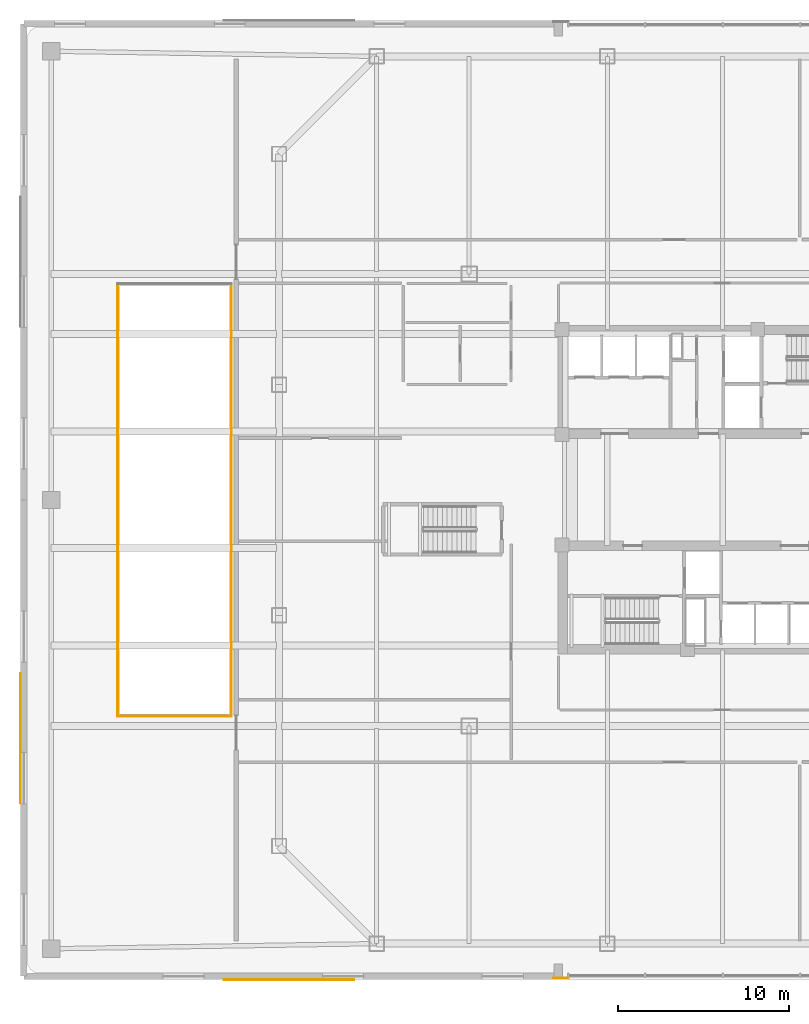
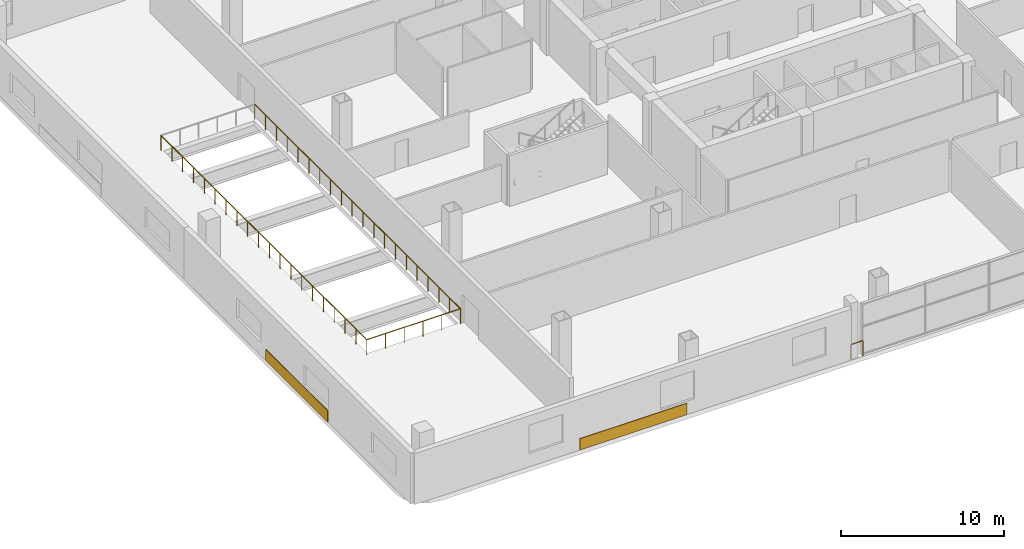
# One storey, part 16 of 21: 4 railings, 2 coverings.
"""IFC4 building model written with IfcOpenShell, lengths in metres."""

from ifc_helpers import new_model, si_unit, direction, frame, origin, origin_2d, place, context, subcontext, project, spatial, rectangle, extrude, material, layer, layer_set, type_object, element, save


model = new_model("IFC4")

# Units and contexts
model_context = context("Model", 3, precision=1e-05, world=origin(), true_north=direction((0.0, 1.0)))
body_context = subcontext(model_context, "Body", "Model", "MODEL_VIEW")
ifc_project = project(units=[si_unit("LENGTHUNIT", "METRE"), si_unit("AREAUNIT", "SQUARE_METRE"), si_unit("VOLUMEUNIT", "CUBIC_METRE"), si_unit("PLANEANGLEUNIT", "RADIAN"), si_unit("MASSUNIT", "GRAM", prefix="KILO")], contexts=[model_context])

# Site, building, storey
site_placement = place(None, origin())
site = spatial("IfcSite", under=ifc_project, at=site_placement, CompositionType="ELEMENT")
building_placement = place(site_placement, origin())
building = spatial("IfcBuilding", under=site, at=building_placement, Name="Qhalaya Broadcast Tower", CompositionType="ELEMENT")
storey_placement = place(building_placement, frame((0.0, 0.0, 17.699951171875)))
storey = spatial("IfcBuildingStorey", under=building, at=storey_placement, Name="L04", CompositionType="ELEMENT", Elevation=17.699951171875)

# Coverings
ifc_material_1 = material(Name="Fired Architectural Terracotta", Category="masonry")
ifc_layer = layer(ifc_material_1, 0.044921875, Name="Fired Architectural Terracotta")
ifc_layer_set = layer_set([ifc_layer], Name="Fired Architectural Terracotta")
covering_type = type_object("IfcCoveringType", Name="Polychrome Terracotta Rainscreen Cladding CLD-01", PredefinedType="CLADDING", material=ifc_layer_set)
for number, where, z_axis, x_axis, name in (
    (1, (-25.320068359375, -28.0, 0.02490234375), (0.0, 0.0, 1.0), (-1.0, 0.0, 0.0), "L04 Terracotta Spandrel Cladding EW-SW"),
    (2, (-41.0, -13.89990234375, 0.02490234375), (0.0, 0.0, 1.0), (0.0, 1.0, 0.0), "L04 Terracotta Spandrel Cladding EW-WS"),
):
    element("IfcCovering", number, at=place(storey_placement, frame(where, z_axis=z_axis, x_axis=x_axis)), inside=storey, type_object=covering_type, Name=name, PredefinedType="CLADDING", context=body_context, shape_type="SweptSolid", body=[
        extrude(rectangle(XDim=7.60009765625, YDim=0.044921875, at=origin_2d()), origin(), (0.0, 0.0, 1.0), 0.85009765625),
    ])

# Railings
ifc_material_2 = material(Name="Powder-Coated Galvanised Steel", Category="steel")
railing_type_1 = type_object("IfcRailingType", Name="Stair Well & Landing Guardrail 1100", PredefinedType="GUARDRAIL", material=ifc_material_2)
railing_1_placement = place(storey_placement, frame((-35.320068359375, -12.6201171875, 0.0)))
element("IfcRailing", 3, at=railing_1_placement, inside=storey, type_object=railing_type_1, Name="L04 Soundstage Acoustic Void Safety Guard STVW-1", PredefinedType="GUARDRAIL", context=body_context, shape_type="SweptSolid", body=[
    extrude(rectangle(XDim=0.048095703125, YDim=0.048095703125, at=origin_2d()), frame((0.0, 0.0, 1.1259765625), z_axis=(1.0, 0.0, 0.0), x_axis=(0.0, 1.0, 0.0)), (0.0, 0.0, 1.0), 6.64013671875),
    extrude(rectangle(XDim=0.0419921875, YDim=0.0419921875, at=origin_2d()), origin(), (0.0, 0.0, 1.0), 1.099853515625),
    extrude(rectangle(XDim=0.0419921875, YDim=0.0419921875, at=origin_2d()), frame((1.328125, 0.0, 0.0)), (0.0, 0.0, 1.0), 1.099853515625),
    extrude(rectangle(XDim=0.0419921875, YDim=0.0419921875, at=origin_2d()), frame((2.656005859375, 0.0, 0.0)), (0.0, 0.0, 1.0), 1.099853515625),
    extrude(rectangle(XDim=0.0419921875, YDim=0.0419921875, at=origin_2d()), frame((3.984130859375, 0.0, 0.0)), (0.0, 0.0, 1.0), 1.099853515625),
    extrude(rectangle(XDim=0.0419921875, YDim=0.0419921875, at=origin_2d()), frame((5.31201171875, 0.0, 0.0)), (0.0, 0.0, 1.0), 1.099853515625),
    extrude(rectangle(XDim=0.0419921875, YDim=0.0419921875, at=origin_2d()), frame((6.64013671875, 0.0, 0.0)), (0.0, 0.0, 1.0), 1.099853515625),
])
railing_2_placement = place(storey_placement, frame((-28.679931640625, -12.6201171875, 0.0)))
element("IfcRailing", 4, at=railing_2_placement, inside=storey, type_object=railing_type_1, Name="L04 Soundstage Acoustic Void Safety Guard STVW-2", PredefinedType="GUARDRAIL", context=body_context, shape_type="SweptSolid", body=[
    extrude(rectangle(XDim=0.048095703125, YDim=0.048095703125, at=origin_2d()), frame((0.0, 0.0, 1.1259765625), z_axis=(0.0, 1.0, 0.0), x_axis=(-1.0, 0.0, 0.0)), (0.0, 0.0, 1.0), 25.240234375),
    extrude(rectangle(XDim=0.0419921875, YDim=0.0419921875, at=origin_2d()), origin(), (0.0, 0.0, 1.0), 1.099853515625),
    extrude(rectangle(XDim=0.0419921875, YDim=0.0419921875, at=origin_2d()), frame((0.0, 1.328369140625, 0.0)), (0.0, 0.0, 1.0), 1.099853515625),
    extrude(rectangle(XDim=0.0419921875, YDim=0.0419921875, at=origin_2d()), frame((0.0, 2.656982421875, 0.0)), (0.0, 0.0, 1.0), 1.099853515625),
    extrude(rectangle(XDim=0.0419921875, YDim=0.0419921875, at=origin_2d()), frame((0.0, 3.9853515625, 0.0)), (0.0, 0.0, 1.0), 1.099853515625),
    extrude(rectangle(XDim=0.0419921875, YDim=0.0419921875, at=origin_2d()), frame((0.0, 5.313720703125, 0.0)), (0.0, 0.0, 1.0), 1.099853515625),
    extrude(rectangle(XDim=0.0419921875, YDim=0.0419921875, at=origin_2d()), frame((0.0, 6.64208984375, 0.0)), (0.0, 0.0, 1.0), 1.099853515625),
    extrude(rectangle(XDim=0.0419921875, YDim=0.0419921875, at=origin_2d()), frame((0.0, 7.970703125, 0.0)), (0.0, 0.0, 1.0), 1.099853515625),
    extrude(rectangle(XDim=0.0419921875, YDim=0.0419921875, at=origin_2d()), frame((0.0, 9.299072265625, 0.0)), (0.0, 0.0, 1.0), 1.099853515625),
    extrude(rectangle(XDim=0.0419921875, YDim=0.0419921875, at=origin_2d()), frame((0.0, 10.62744140625, 0.0)), (0.0, 0.0, 1.0), 1.099853515625),
    extrude(rectangle(XDim=0.0419921875, YDim=0.0419921875, at=origin_2d()), frame((0.0, 11.955810546875, 0.0)), (0.0, 0.0, 1.0), 1.099853515625),
    extrude(rectangle(XDim=0.0419921875, YDim=0.0419921875, at=origin_2d()), frame((0.0, 13.284423828125, 0.0)), (0.0, 0.0, 1.0), 1.099853515625),
    extrude(rectangle(XDim=0.0419921875, YDim=0.0419921875, at=origin_2d()), frame((0.0, 14.61279296875, 0.0)), (0.0, 0.0, 1.0), 1.099853515625),
    extrude(rectangle(XDim=0.0419921875, YDim=0.0419921875, at=origin_2d()), frame((0.0, 15.941162109375, 0.0)), (0.0, 0.0, 1.0), 1.099853515625),
    extrude(rectangle(XDim=0.0419921875, YDim=0.0419921875, at=origin_2d()), frame((0.0, 17.26953125, 0.0)), (0.0, 0.0, 1.0), 1.099853515625),
    extrude(rectangle(XDim=0.0419921875, YDim=0.0419921875, at=origin_2d()), frame((0.0, 18.59814453125, 0.0)), (0.0, 0.0, 1.0), 1.099853515625),
    extrude(rectangle(XDim=0.0419921875, YDim=0.0419921875, at=origin_2d()), frame((0.0, 19.926513671875, 0.0)), (0.0, 0.0, 1.0), 1.099853515625),
    extrude(rectangle(XDim=0.0419921875, YDim=0.0419921875, at=origin_2d()), frame((0.0, 21.2548828125, 0.0)), (0.0, 0.0, 1.0), 1.099853515625),
    extrude(rectangle(XDim=0.0419921875, YDim=0.0419921875, at=origin_2d()), frame((0.0, 22.583251953125, 0.0)), (0.0, 0.0, 1.0), 1.099853515625),
    extrude(rectangle(XDim=0.0419921875, YDim=0.0419921875, at=origin_2d()), frame((0.0, 23.911865234375, 0.0)), (0.0, 0.0, 1.0), 1.099853515625),
    extrude(rectangle(XDim=0.0419921875, YDim=0.0419921875, at=origin_2d()), frame((0.0, 25.240234375, 0.0)), (0.0, 0.0, 1.0), 1.099853515625),
])
railing_3_placement = place(storey_placement, frame((-35.320068359375, 12.6201171875, 0.0)))
element("IfcRailing", 5, at=railing_3_placement, inside=storey, type_object=railing_type_1, Name="L04 Soundstage Acoustic Void Safety Guard STVW-4", PredefinedType="GUARDRAIL", context=body_context, shape_type="SweptSolid", body=[
    extrude(rectangle(XDim=0.048095703125, YDim=0.048095703125, at=origin_2d()), frame((0.0, 0.0, 1.1259765625), z_axis=(0.0, -1.0, 0.0), x_axis=(1.0, 0.0, 0.0)), (0.0, 0.0, 1.0), 25.240234375),
    extrude(rectangle(XDim=0.0419921875, YDim=0.0419921875, at=origin_2d()), origin(), (0.0, 0.0, 1.0), 1.099853515625),
    extrude(rectangle(XDim=0.0419921875, YDim=0.0419921875, at=origin_2d()), frame((0.0, -1.328369140625, 0.0)), (0.0, 0.0, 1.0), 1.099853515625),
    extrude(rectangle(XDim=0.0419921875, YDim=0.0419921875, at=origin_2d()), frame((0.0, -2.656982421875, 0.0)), (0.0, 0.0, 1.0), 1.099853515625),
    extrude(rectangle(XDim=0.0419921875, YDim=0.0419921875, at=origin_2d()), frame((0.0, -3.9853515625, 0.0)), (0.0, 0.0, 1.0), 1.099853515625),
    extrude(rectangle(XDim=0.0419921875, YDim=0.0419921875, at=origin_2d()), frame((0.0, -5.313720703125, 0.0)), (0.0, 0.0, 1.0), 1.099853515625),
    extrude(rectangle(XDim=0.0419921875, YDim=0.0419921875, at=origin_2d()), frame((0.0, -6.64208984375, 0.0)), (0.0, 0.0, 1.0), 1.099853515625),
    extrude(rectangle(XDim=0.0419921875, YDim=0.0419921875, at=origin_2d()), frame((0.0, -7.970703125, 0.0)), (0.0, 0.0, 1.0), 1.099853515625),
    extrude(rectangle(XDim=0.0419921875, YDim=0.0419921875, at=origin_2d()), frame((0.0, -9.299072265625, 0.0)), (0.0, 0.0, 1.0), 1.099853515625),
    extrude(rectangle(XDim=0.0419921875, YDim=0.0419921875, at=origin_2d()), frame((0.0, -10.62744140625, 0.0)), (0.0, 0.0, 1.0), 1.099853515625),
    extrude(rectangle(XDim=0.0419921875, YDim=0.0419921875, at=origin_2d()), frame((0.0, -11.955810546875, 0.0)), (0.0, 0.0, 1.0), 1.099853515625),
    extrude(rectangle(XDim=0.0419921875, YDim=0.0419921875, at=origin_2d()), frame((0.0, -13.284423828125, 0.0)), (0.0, 0.0, 1.0), 1.099853515625),
    extrude(rectangle(XDim=0.0419921875, YDim=0.0419921875, at=origin_2d()), frame((0.0, -14.61279296875, 0.0)), (0.0, 0.0, 1.0), 1.099853515625),
    extrude(rectangle(XDim=0.0419921875, YDim=0.0419921875, at=origin_2d()), frame((0.0, -15.941162109375, 0.0)), (0.0, 0.0, 1.0), 1.099853515625),
    extrude(rectangle(XDim=0.0419921875, YDim=0.0419921875, at=origin_2d()), frame((0.0, -17.26953125, 0.0)), (0.0, 0.0, 1.0), 1.099853515625),
    extrude(rectangle(XDim=0.0419921875, YDim=0.0419921875, at=origin_2d()), frame((0.0, -18.59814453125, 0.0)), (0.0, 0.0, 1.0), 1.099853515625),
    extrude(rectangle(XDim=0.0419921875, YDim=0.0419921875, at=origin_2d()), frame((0.0, -19.926513671875, 0.0)), (0.0, 0.0, 1.0), 1.099853515625),
    extrude(rectangle(XDim=0.0419921875, YDim=0.0419921875, at=origin_2d()), frame((0.0, -21.2548828125, 0.0)), (0.0, 0.0, 1.0), 1.099853515625),
    extrude(rectangle(XDim=0.0419921875, YDim=0.0419921875, at=origin_2d()), frame((0.0, -22.583251953125, 0.0)), (0.0, 0.0, 1.0), 1.099853515625),
    extrude(rectangle(XDim=0.0419921875, YDim=0.0419921875, at=origin_2d()), frame((0.0, -23.911865234375, 0.0)), (0.0, 0.0, 1.0), 1.099853515625),
    extrude(rectangle(XDim=0.0419921875, YDim=0.0419921875, at=origin_2d()), frame((0.0, -25.240234375, 0.0)), (0.0, 0.0, 1.0), 1.099853515625),
])
railing_type_2 = type_object("IfcRailingType", Name="Terrace, Sky-Pool & Lookout Glass Balustrade 1150", PredefinedType="BALUSTRADE", material=ifc_material_2)
railing_4_placement = place(storey_placement, frame((-9.8798828125, -27.919921875, 0.0)))
element("IfcRailing", 6, at=railing_4_placement, inside=storey, type_object=railing_type_2, Name="L04 Concourse Portal Shoulder Safety Balustrade PSW", PredefinedType="BALUSTRADE", context=body_context, shape_type="SweptSolid", body=[
    extrude(rectangle(XDim=0.048095703125, YDim=0.048095703125, at=origin_2d()), frame((0.0, 0.0, 1.1259765625), z_axis=(1.0, 0.0, 0.0), x_axis=(0.0, 1.0, 0.0)), (0.0, 0.0, 1.0), 0.8798828125),
    extrude(rectangle(XDim=0.0419921875, YDim=0.0419921875, at=origin_2d()), origin(), (0.0, 0.0, 1.0), 1.099853515625),
    extrude(rectangle(XDim=0.0419921875, YDim=0.0419921875, at=origin_2d()), frame((0.8798828125, 0.0, 0.0)), (0.0, 0.0, 1.0), 1.099853515625),
])

save(model, "model.ifc")
